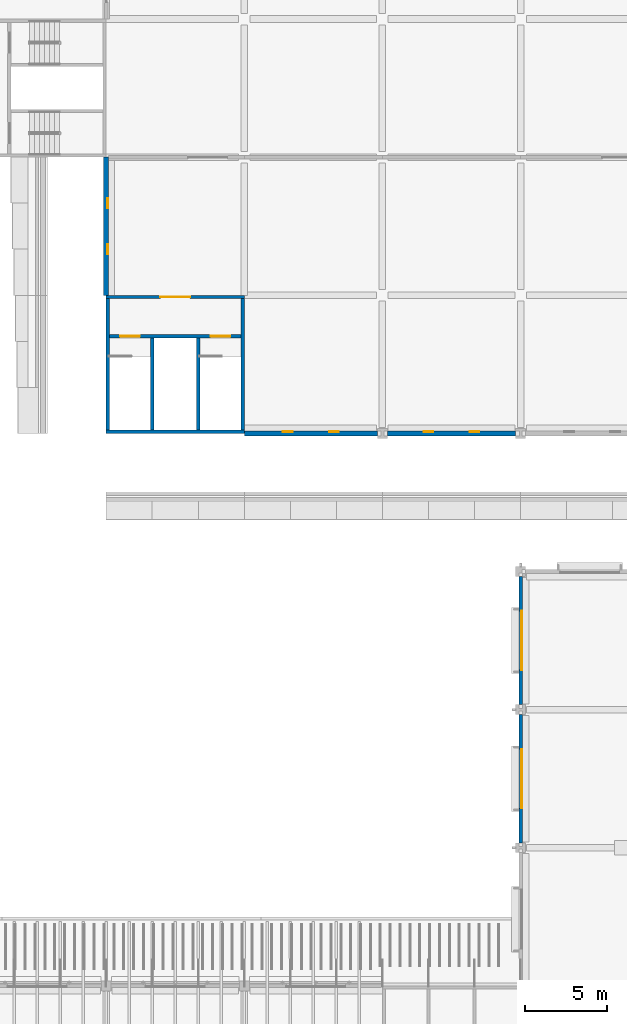
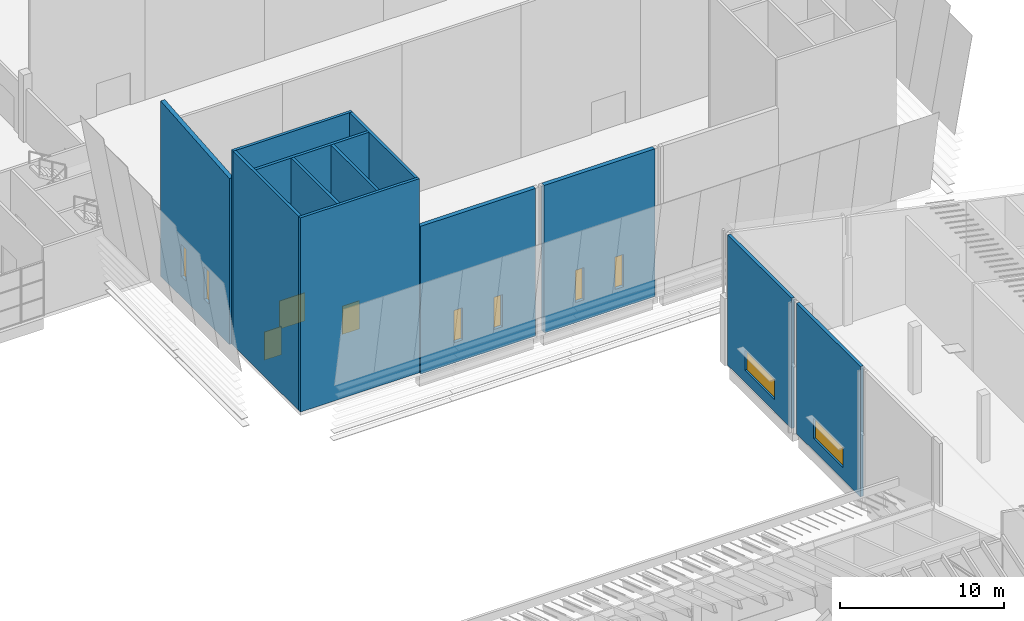
# One storey, part 22 of 59: 12 walls, 8 windows, 3 doors, 11 openings.
"""IFC4 building model written with IfcOpenShell, lengths in metres."""

from ifc_helpers import new_model, si_unit, direction, frame, frame_2d, origin, place, context, subcontext, project, spatial, polyline, rectangle, outline, extrude, material, layer, layer_set, type_object, element, fill, save


model = new_model("IFC4")

# Units and contexts
model_context = context("Model", 3, precision=1e-05, world=origin(), true_north=direction((0.0, 1.0)))
body_context = subcontext(model_context, "Body", "Model", "MODEL_VIEW")
ifc_project = project(units=[si_unit("LENGTHUNIT", "METRE"), si_unit("AREAUNIT", "SQUARE_METRE"), si_unit("VOLUMEUNIT", "CUBIC_METRE"), si_unit("PLANEANGLEUNIT", "RADIAN"), si_unit("MASSUNIT", "GRAM", prefix="KILO")], contexts=[model_context])

# Site, building, storey
site_placement = place(None, origin())
site = spatial("IfcSite", under=ifc_project, at=site_placement, CompositionType="ELEMENT")
building_placement = place(site_placement, origin())
building = spatial("IfcBuilding", under=site, at=building_placement, Name="Almond Square Museum", CompositionType="ELEMENT")
storey_placement = place(building_placement, frame((0.0, 0.0, 25.0)))
storey = spatial("IfcBuildingStorey", under=building, at=storey_placement, Name="L04", CompositionType="ELEMENT", Elevation=25.0)

# Wall, openings, windows
ifc_material_1 = material(Name="Concrete C30/37", Category="concrete")
ifc_layer_1 = layer(ifc_material_1, 0.300048828125)
ifc_layer_set_1 = layer_set([ifc_layer_1], Name="Concrete C30/37")
wall_type_1 = type_object("IfcWallType", Name="Cast concrete wall 300 C30/37 behind louvre skin", PredefinedType="SOLIDWALL", material=ifc_layer_set_1)
wall_1_placement = place(storey_placement, frame((115.199951171875, 50.39990234375, 0.0), z_axis=(0.0, 0.0, 1.0), x_axis=(1.0, 0.0, 0.0)))
wall_1 = element("IfcWall", 1, at=wall_1_placement, inside=storey, type_object=wall_type_1, Name="External wall W1 V1 L04 S01", PredefinedType="SOLIDWALL", context=body_context, shape_type="SweptSolid", body=[
    extrude(rectangle(XDim=8.10009765625, YDim=0.300048828125, at=frame_2d((4.050048828125, 0.0))), origin(), (0.0, 0.0, 1.0), 10.995849609375),
])
opening_1_placement = place(wall_1_placement, frame((2.35009765625, 0.0, 1.5)))
opening_1 = element("IfcOpeningElement", 2, at=opening_1_placement, cuts=wall_1, Name="Opening W4021", PredefinedType="OPENING", context=body_context, shape_type="SweptSolid", body=[
    extrude(rectangle(XDim=0.60009765625, YDim=2.39990234375, at=frame_2d((0.300048828125, 1.199951171875))), frame((0.0, 0.159912109375, 0.0), z_axis=(0.0, -1.0, 0.0), x_axis=(1.0, 0.0, 0.0)), (0.0, 0.0, 1.0), 0.320068359375),
])
opening_2_placement = place(wall_1_placement, frame((5.14990234375, 0.0, 1.5)))
opening_2 = element("IfcOpeningElement", 3, at=opening_2_placement, cuts=wall_1, Name="Opening W4022", PredefinedType="OPENING", context=body_context, shape_type="SweptSolid", body=[
    extrude(rectangle(XDim=0.60009765625, YDim=2.39990234375, at=frame_2d((0.300048828125, 1.199951171875))), frame((0.0, 0.159912109375, 0.0), z_axis=(0.0, -1.0, 0.0), x_axis=(1.0, 0.0, 0.0)), (0.0, 0.0, 1.0), 0.320068359375),
])
ifc_material_2 = material(Name="Anodised aluminium louvre and laminated glass", Category="aluminium")
window_type_1 = type_object("IfcWindowType", Name="Slot window with storm louvre", PartitioningType="SINGLE_PANEL", PredefinedType="WINDOW", material=ifc_material_2)
window_1_placement = place(opening_1_placement, origin())
window_1 = element("IfcWindow", 4, at=window_1_placement, inside=storey, type_object=window_type_1, Name="Slot window with storm louvre W4021", OverallHeight=2.39990234375, OverallWidth=0.60009765625, PartitioningType="SINGLE_PANEL", PredefinedType="WINDOW", context=body_context, shape_type="SweptSolid", body=[
    extrude(rectangle(XDim=0.60009765625, YDim=2.39990234375, at=frame_2d((0.300048828125, 1.199951171875))), frame((0.0, 0.130126953125, 0.0), z_axis=(0.0, -1.0, 0.0), x_axis=(1.0, 0.0, 0.0)), (0.0, 0.0, 1.0), 0.06005859375),
])
fill(opening_1, window_1)
window_2_placement = place(opening_2_placement, origin())
window_2 = element("IfcWindow", 5, at=window_2_placement, inside=storey, type_object=window_type_1, Name="Slot window with storm louvre W4022", OverallHeight=2.39990234375, OverallWidth=0.60009765625, PartitioningType="SINGLE_PANEL", PredefinedType="WINDOW", context=body_context, shape_type="SweptSolid", body=[
    extrude(rectangle(XDim=0.60009765625, YDim=2.39990234375, at=frame_2d((0.300048828125, 1.199951171875))), frame((0.0, 0.130126953125, 0.0), z_axis=(0.0, -1.0, 0.0), x_axis=(1.0, 0.0, 0.0)), (0.0, 0.0, 1.0), 0.06005859375),
])
fill(opening_2, window_2)

wall_2_placement = place(storey_placement, frame((123.89990234375, 50.39990234375, 0.0), z_axis=(0.0, 0.0, 1.0), x_axis=(1.0, 0.0, 0.0)))
wall_2 = element("IfcWall", 6, at=wall_2_placement, inside=storey, type_object=wall_type_1, Name="External wall W1 V1 L04 S02", PredefinedType="SOLIDWALL", context=body_context, shape_type="SweptSolid", body=[
    extrude(rectangle(XDim=7.800048828125, YDim=0.300048828125, at=frame_2d((3.89990234375, 0.0))), origin(), (0.0, 0.0, 1.0), 10.995849609375),
])
opening_3_placement = place(wall_2_placement, frame((2.199951171875, 0.0, 1.5)))
opening_3 = element("IfcOpeningElement", 7, at=opening_3_placement, cuts=wall_2, Name="Opening W4023", PredefinedType="OPENING", context=body_context, shape_type="SweptSolid", body=[
    extrude(rectangle(XDim=0.60009765625, YDim=2.39990234375, at=frame_2d((0.300048828125, 1.199951171875))), frame((0.0, 0.159912109375, 0.0), z_axis=(0.0, -1.0, 0.0), x_axis=(1.0, 0.0, 0.0)), (0.0, 0.0, 1.0), 0.320068359375),
])
opening_4_placement = place(wall_2_placement, frame((5.0, 0.0, 1.5)))
opening_4 = element("IfcOpeningElement", 8, at=opening_4_placement, cuts=wall_2, Name="Opening W4024", PredefinedType="OPENING", context=body_context, shape_type="SweptSolid", body=[
    extrude(rectangle(XDim=0.60009765625, YDim=2.39990234375, at=frame_2d((0.300048828125, 1.199951171875))), frame((0.0, 0.159912109375, 0.0), z_axis=(0.0, -1.0, 0.0), x_axis=(1.0, 0.0, 0.0)), (0.0, 0.0, 1.0), 0.320068359375),
])
window_3_placement = place(opening_3_placement, origin())
window_3 = element("IfcWindow", 9, at=window_3_placement, inside=storey, type_object=window_type_1, Name="Slot window with storm louvre W4023", OverallHeight=2.39990234375, OverallWidth=0.60009765625, PartitioningType="SINGLE_PANEL", PredefinedType="WINDOW", context=body_context, shape_type="SweptSolid", body=[
    extrude(rectangle(XDim=0.60009765625, YDim=2.39990234375, at=frame_2d((0.300048828125, 1.199951171875))), frame((0.0, 0.130126953125, 0.0), z_axis=(0.0, -1.0, 0.0), x_axis=(1.0, 0.0, 0.0)), (0.0, 0.0, 1.0), 0.06005859375),
])
fill(opening_3, window_3)
window_4_placement = place(opening_4_placement, origin())
window_4 = element("IfcWindow", 10, at=window_4_placement, inside=storey, type_object=window_type_1, Name="Slot window with storm louvre W4024", OverallHeight=2.39990234375, OverallWidth=0.60009765625, PartitioningType="SINGLE_PANEL", PredefinedType="WINDOW", context=body_context, shape_type="SweptSolid", body=[
    extrude(rectangle(XDim=0.60009765625, YDim=2.39990234375, at=frame_2d((0.300048828125, 1.199951171875))), frame((0.0, 0.130126953125, 0.0), z_axis=(0.0, -1.0, 0.0), x_axis=(1.0, 0.0, 0.0)), (0.0, 0.0, 1.0), 0.06005859375),
])
fill(opening_4, window_4)

wall_3_placement = place(storey_placement, frame((106.800048828125, 58.800048828125, 0.0), z_axis=(0.0, 0.0, 1.0), x_axis=(0.0, 1.0, 0.0)))
wall_3 = element("IfcWall", 11, at=wall_3_placement, inside=storey, type_object=wall_type_1, Name="External wall W1 V1 L04 W01", PredefinedType="SOLIDWALL", context=body_context, shape_type="SweptSolid", body=[
    extrude(outline(polyline([(0.0, 0.0), (8.39990234375, 0.0), (8.39990234375, 13.06005859375), (0.0, 12.36083984375), (0.0, 0.0)])), frame((0.0, 0.14990234375, 0.0), z_axis=(0.0, -1.0, 0.0), x_axis=(1.0, 0.0, 0.0)), (0.0, 0.0, 1.0), 0.300048828125),
])
opening_5_placement = place(wall_3_placement, frame((2.5, 0.0, 1.5)))
opening_5 = element("IfcOpeningElement", 12, at=opening_5_placement, cuts=wall_3, Name="Opening W4041", PredefinedType="OPENING", context=body_context, shape_type="SweptSolid", body=[
    extrude(rectangle(XDim=0.60009765625, YDim=2.39990234375, at=frame_2d((0.300048828125, 1.199951171875))), frame((0.0, 0.159912109375, 0.0), z_axis=(0.0, -1.0, 0.0), x_axis=(1.0, 0.0, 0.0)), (0.0, 0.0, 1.0), 0.320068359375),
])
opening_6_placement = place(wall_3_placement, frame((5.300048828125, 0.0, 1.5)))
opening_6 = element("IfcOpeningElement", 13, at=opening_6_placement, cuts=wall_3, Name="Opening W4042", PredefinedType="OPENING", context=body_context, shape_type="SweptSolid", body=[
    extrude(rectangle(XDim=0.60009765625, YDim=2.39990234375, at=frame_2d((0.300048828125, 1.199951171875))), frame((0.0, 0.159912109375, 0.0), z_axis=(0.0, -1.0, 0.0), x_axis=(1.0, 0.0, 0.0)), (0.0, 0.0, 1.0), 0.320068359375),
])
window_5_placement = place(opening_5_placement, origin())
window_5 = element("IfcWindow", 14, at=window_5_placement, inside=storey, type_object=window_type_1, Name="Slot window with storm louvre W4041", OverallHeight=2.39990234375, OverallWidth=0.60009765625, PartitioningType="SINGLE_PANEL", PredefinedType="WINDOW", context=body_context, shape_type="SweptSolid", body=[
    extrude(rectangle(XDim=0.60009765625, YDim=2.39990234375, at=frame_2d((0.300048828125, 1.199951171875))), frame((0.0, -0.070068359375, 0.0), z_axis=(0.0, -1.0, 0.0), x_axis=(1.0, 0.0, 0.0)), (0.0, 0.0, 1.0), 0.06005859375),
])
fill(opening_5, window_5)
window_6_placement = place(opening_6_placement, origin())
window_6 = element("IfcWindow", 15, at=window_6_placement, inside=storey, type_object=window_type_1, Name="Slot window with storm louvre W4042", OverallHeight=2.39990234375, OverallWidth=0.60009765625, PartitioningType="SINGLE_PANEL", PredefinedType="WINDOW", context=body_context, shape_type="SweptSolid", body=[
    extrude(rectangle(XDim=0.60009765625, YDim=2.39990234375, at=frame_2d((0.300048828125, 1.199951171875))), frame((0.0, -0.070068359375, 0.0), z_axis=(0.0, -1.0, 0.0), x_axis=(1.0, 0.0, 0.0)), (0.0, 0.0, 1.0), 0.06005859375),
])
fill(opening_6, window_6)

# Wall
ifc_material_3 = material(Name="Concrete C40/50", Category="concrete")
ifc_layer_2 = layer(ifc_material_3, 0.199951171875)
ifc_layer_set_2 = layer_set([ifc_layer_2], Name="Concrete C40/50")
wall_type_2 = type_object("IfcWallType", Name="RC shear wall 200 C40/50", PredefinedType="SHEAR", material=ifc_layer_set_2)
wall_4_placement = place(storey_placement, frame((106.800048828125, 50.5, 0.0), z_axis=(0.0, 0.0, 1.0), x_axis=(1.0, 0.0, 0.0)))
element("IfcWall", 16, at=wall_4_placement, inside=storey, type_object=wall_type_2, Name="Core H1 south wall L04", PredefinedType="SHEAR", context=body_context, shape_type="SweptSolid", body=[
    extrude(rectangle(XDim=8.39990234375, YDim=0.199951171875, at=frame_2d((4.199951171875, 0.0))), origin(), (0.0, 0.0, 1.0), 14.469970703125),
])

# Wall, opening, door
wall_5_placement = place(storey_placement, frame((106.800048828125, 58.699951171875, 0.0), z_axis=(0.0, 0.0, 1.0), x_axis=(1.0, 0.0, 0.0)))
wall_5 = element("IfcWall", 17, at=wall_5_placement, inside=storey, type_object=wall_type_2, Name="Core H1 north wall L04", PredefinedType="SHEAR", context=body_context, shape_type="SweptSolid", body=[
    extrude(rectangle(XDim=8.39990234375, YDim=0.199951171875, at=frame_2d((4.199951171875, 0.0))), origin(), (0.0, 0.0, 1.0), 14.469970703125),
])
opening_7_placement = place(wall_5_placement, frame((3.300048828125, 0.0, 0.0)))
opening_7 = element("IfcOpeningElement", 18, at=opening_7_placement, cuts=wall_5, Name="Opening D4130", PredefinedType="OPENING", context=body_context, shape_type="SweptSolid", body=[
    extrude(rectangle(XDim=1.800048828125, YDim=2.10009765625, at=frame_2d((0.89990234375, 1.050048828125))), frame((0.0, 0.10986328125, 0.0), z_axis=(0.0, -1.0, 0.0), x_axis=(1.0, 0.0, 0.0)), (0.0, 0.0, 1.0), 0.219970703125),
])
ifc_material_4 = material(Name="Steel", Category="steel")
door_type_1 = type_object("IfcDoorType", Name="Fire door 1800 x 2100 FD60 double", OperationType="NOTDEFINED", PredefinedType="DOOR", material=ifc_material_4)
door_1_placement = place(opening_7_placement, origin())
door_1 = element("IfcDoor", 19, at=door_1_placement, inside=storey, type_object=door_type_1, Name="L04 stair core H1 lobby door", OperationType="DOUBLE_DOOR_SINGLE_SWING", OverallHeight=2.10009765625, OverallWidth=1.800048828125, PredefinedType="DOOR", context=body_context, shape_type="SweptSolid", body=[
    extrude(rectangle(XDim=1.800048828125, YDim=2.10009765625, at=frame_2d((0.89990234375, 1.050048828125))), frame((0.0, 0.02490234375, 0.0), z_axis=(0.0, -1.0, 0.0), x_axis=(1.0, 0.0, 0.0)), (0.0, 0.0, 1.0), 0.050048828125),
])
fill(opening_7, door_1)

# Walls
for number, where, z_axis, x_axis, name in (
    (20, (106.89990234375, 50.60009765625, 0.0), (0.0, 0.0, 1.0), (0.0, 1.0, 0.0), "Core H1 west wall L04"),
    (21, (115.10009765625, 50.60009765625, 0.0), (0.0, 0.0, 1.0), (0.0, 1.0, 0.0), "Core H1 east wall L04"),
):
    element("IfcWall", number, at=place(storey_placement, frame(where, z_axis=z_axis, x_axis=x_axis)), inside=storey, type_object=wall_type_2, Name=name, PredefinedType="SHEAR", context=body_context, shape_type="SweptSolid", body=[
        extrude(rectangle(XDim=8.0, YDim=0.199951171875, at=frame_2d((4.0, 0.0))), origin(), (0.0, 0.0, 1.0), 14.469970703125),
    ])

# Wall, openings, doors
wall_6_placement = place(storey_placement, frame((107.0, 56.300048828125, 0.0), z_axis=(0.0, 0.0, 1.0), x_axis=(1.0, 0.0, 0.0)))
wall_6 = element("IfcWall", 22, at=wall_6_placement, inside=storey, type_object=wall_type_2, Name="Core H1 lobby wall L04", PredefinedType="SHEAR", context=body_context, shape_type="SweptSolid", body=[
    extrude(rectangle(XDim=8.0, YDim=0.199951171875, at=frame_2d((4.0, 0.0))), origin(), (0.0, 0.0, 1.0), 14.469970703125),
])
opening_8_placement = place(wall_6_placement, frame((0.64990234375, 0.0, 0.0)))
opening_8 = element("IfcOpeningElement", 23, at=opening_8_placement, cuts=wall_6, Name="Opening D4131", PredefinedType="OPENING", context=body_context, shape_type="SweptSolid", body=[
    extrude(rectangle(XDim=1.199951171875, YDim=2.10009765625, at=frame_2d((0.60009765625, 1.050048828125))), frame((0.0, 0.10986328125, 0.0), z_axis=(0.0, -1.0, 0.0), x_axis=(1.0, 0.0, 0.0)), (0.0, 0.0, 1.0), 0.219970703125),
])
opening_9_placement = place(wall_6_placement, frame((6.14990234375, 0.0, 0.0)))
opening_9 = element("IfcOpeningElement", 24, at=opening_9_placement, cuts=wall_6, Name="Opening D4132", PredefinedType="OPENING", context=body_context, shape_type="SweptSolid", body=[
    extrude(rectangle(XDim=1.199951171875, YDim=2.10009765625, at=frame_2d((0.60009765625, 1.050048828125))), frame((0.0, 0.10986328125, 0.0), z_axis=(0.0, -1.0, 0.0), x_axis=(1.0, 0.0, 0.0)), (0.0, 0.0, 1.0), 0.219970703125),
])
ifc_material_5 = material(Name="Steel", Category="steel")
door_type_2 = type_object("IfcDoorType", Name="Fire door 1200 x 2100 FD120 stair", OperationType="NOTDEFINED", PredefinedType="DOOR", material=ifc_material_5)
door_2_placement = place(opening_8_placement, origin())
door_2 = element("IfcDoor", 25, at=door_2_placement, inside=storey, type_object=door_type_2, Name="L04 stair H1-1 door", OperationType="SINGLE_SWING_LEFT", OverallHeight=2.10009765625, OverallWidth=1.199951171875, PredefinedType="DOOR", context=body_context, shape_type="SweptSolid", body=[
    extrude(rectangle(XDim=1.199951171875, YDim=2.10009765625, at=frame_2d((0.60009765625, 1.050048828125))), frame((0.0, 0.02490234375, 0.0), z_axis=(0.0, -1.0, 0.0), x_axis=(1.0, 0.0, 0.0)), (0.0, 0.0, 1.0), 0.050048828125),
])
fill(opening_8, door_2)
door_3_placement = place(opening_9_placement, origin())
door_3 = element("IfcDoor", 26, at=door_3_placement, inside=storey, type_object=door_type_2, Name="L04 stair H1-2 door", OperationType="SINGLE_SWING_RIGHT", OverallHeight=2.10009765625, OverallWidth=1.199951171875, PredefinedType="DOOR", context=body_context, shape_type="SweptSolid", body=[
    extrude(rectangle(XDim=1.199951171875, YDim=2.10009765625, at=frame_2d((0.60009765625, 1.050048828125))), frame((0.0, 0.02490234375, 0.0), z_axis=(0.0, -1.0, 0.0), x_axis=(1.0, 0.0, 0.0)), (0.0, 0.0, 1.0), 0.050048828125),
])
fill(opening_9, door_3)

# Walls
for number, where, z_axis, x_axis, name in (
    (27, (109.60009765625, 50.60009765625, 0.0), (0.0, 0.0, 1.0), (0.0, 1.0, 0.0), "Core H1 partition wall L04"),
    (28, (112.39990234375, 50.60009765625, 0.0), (0.0, 0.0, 1.0), (0.0, 1.0, 0.0), "Core H1 partition wall L04"),
):
    element("IfcWall", number, at=place(storey_placement, frame(where, z_axis=z_axis, x_axis=x_axis)), inside=storey, type_object=wall_type_2, Name=name, PredefinedType="SHEAR", context=body_context, shape_type="SweptSolid", body=[
        extrude(rectangle(XDim=5.599853515625, YDim=0.199951171875, at=frame_2d((2.7998046875, 0.0))), origin(), (0.0, 0.0, 1.0), 14.469970703125),
    ])

# Wall, opening, window
ifc_material_6 = material(Name="Concrete C30/37", Category="concrete")
ifc_layer_3 = layer(ifc_material_6, 0.219970703125)
ifc_layer_set_3 = layer_set([ifc_layer_3], Name="Concrete C30/37")
wall_type_3 = type_object("IfcWallType", Name="Stucco panel wall 220 with insulation", PredefinedType="SOLIDWALL", material=ifc_layer_set_3)
wall_7_placement = place(storey_placement, frame((132.0, 33.89990234375, 0.0), z_axis=(0.0, 0.0, 1.0), x_axis=(0.0, 1.0, 0.0)))
wall_7 = element("IfcWall", 29, at=wall_7_placement, inside=storey, type_object=wall_type_3, Name="External wall W4 V5E L04 W01", PredefinedType="SOLIDWALL", context=body_context, shape_type="SweptSolid", body=[
    extrude(rectangle(XDim=7.800048828125, YDim=0.219970703125, at=frame_2d((3.89990234375, 0.0))), origin(), (0.0, 0.0, 1.0), 9.709228515625),
])
opening_10_placement = place(wall_7_placement, frame((2.10009765625, 0.0, 0.89990234375)))
opening_10 = element("IfcOpeningElement", 30, at=opening_10_placement, cuts=wall_7, Name="Opening W4005", PredefinedType="OPENING", context=body_context, shape_type="SweptSolid", body=[
    extrude(rectangle(XDim=3.60009765625, YDim=1.5, at=frame_2d((1.800048828125, 0.75))), frame((0.0, 0.119873046875, 0.0), z_axis=(0.0, -1.0, 0.0), x_axis=(1.0, 0.0, 0.0)), (0.0, 0.0, 1.0), 0.239990234375),
])
ifc_material_7 = material(Name="Aluminium frame and laminated glass", Category="aluminium")
window_type_2 = type_object("IfcWindowType", Name="Office ribbon window", PartitioningType="SINGLE_PANEL", PredefinedType="WINDOW", material=ifc_material_7)
window_7_placement = place(opening_10_placement, origin())
window_7 = element("IfcWindow", 31, at=window_7_placement, inside=storey, type_object=window_type_2, Name="Office ribbon window W4005", OverallHeight=1.5, OverallWidth=3.60009765625, PartitioningType="DOUBLE_PANEL_VERTICAL", PredefinedType="WINDOW", context=body_context, shape_type="SweptSolid", body=[
    extrude(rectangle(XDim=3.60009765625, YDim=1.5, at=frame_2d((1.800048828125, 0.75))), frame((0.0, -0.030029296875, 0.0), z_axis=(0.0, -1.0, 0.0), x_axis=(1.0, 0.0, 0.0)), (0.0, 0.0, 1.0), 0.06005859375),
])
fill(opening_10, window_7)

wall_8_placement = place(storey_placement, frame((132.0, 25.5, 0.0), z_axis=(0.0, 0.0, 1.0), x_axis=(0.0, 1.0, 0.0)))
wall_8 = element("IfcWall", 32, at=wall_8_placement, inside=storey, type_object=wall_type_3, Name="External wall W4 V5E L04 W02", PredefinedType="SOLIDWALL", context=body_context, shape_type="SweptSolid", body=[
    extrude(rectangle(XDim=7.800048828125, YDim=0.219970703125, at=frame_2d((3.89990234375, 0.0))), origin(), (0.0, 0.0, 1.0), 9.709228515625),
])
opening_11_placement = place(wall_8_placement, frame((2.10009765625, 0.0, 0.89990234375)))
opening_11 = element("IfcOpeningElement", 33, at=opening_11_placement, cuts=wall_8, Name="Opening W4006", PredefinedType="OPENING", context=body_context, shape_type="SweptSolid", body=[
    extrude(rectangle(XDim=3.60009765625, YDim=1.5, at=frame_2d((1.800048828125, 0.75))), frame((0.0, 0.119873046875, 0.0), z_axis=(0.0, -1.0, 0.0), x_axis=(1.0, 0.0, 0.0)), (0.0, 0.0, 1.0), 0.239990234375),
])
window_8_placement = place(opening_11_placement, origin())
window_8 = element("IfcWindow", 34, at=window_8_placement, inside=storey, type_object=window_type_2, Name="Office ribbon window W4006", OverallHeight=1.5, OverallWidth=3.60009765625, PartitioningType="DOUBLE_PANEL_VERTICAL", PredefinedType="WINDOW", context=body_context, shape_type="SweptSolid", body=[
    extrude(rectangle(XDim=3.60009765625, YDim=1.5, at=frame_2d((1.800048828125, 0.75))), frame((0.0, -0.030029296875, 0.0), z_axis=(0.0, -1.0, 0.0), x_axis=(1.0, 0.0, 0.0)), (0.0, 0.0, 1.0), 0.06005859375),
])
fill(opening_11, window_8)

save(model, "model.ifc")
